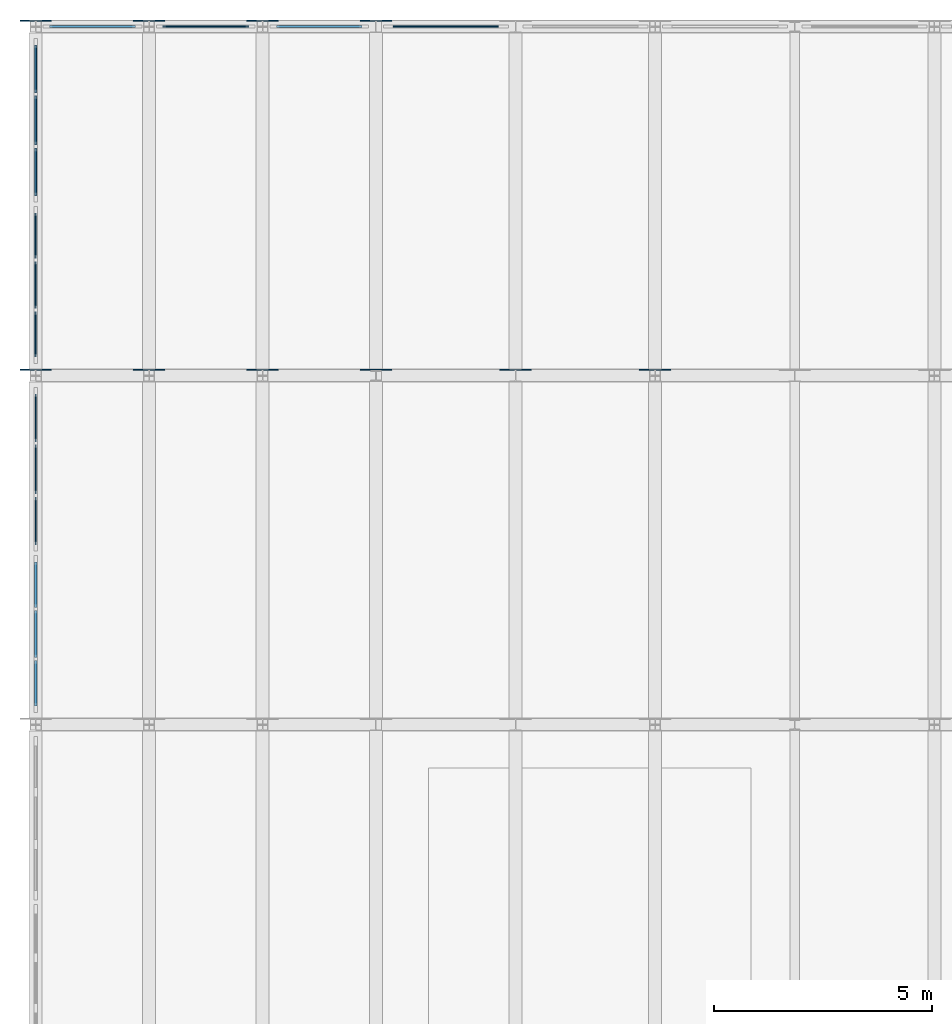
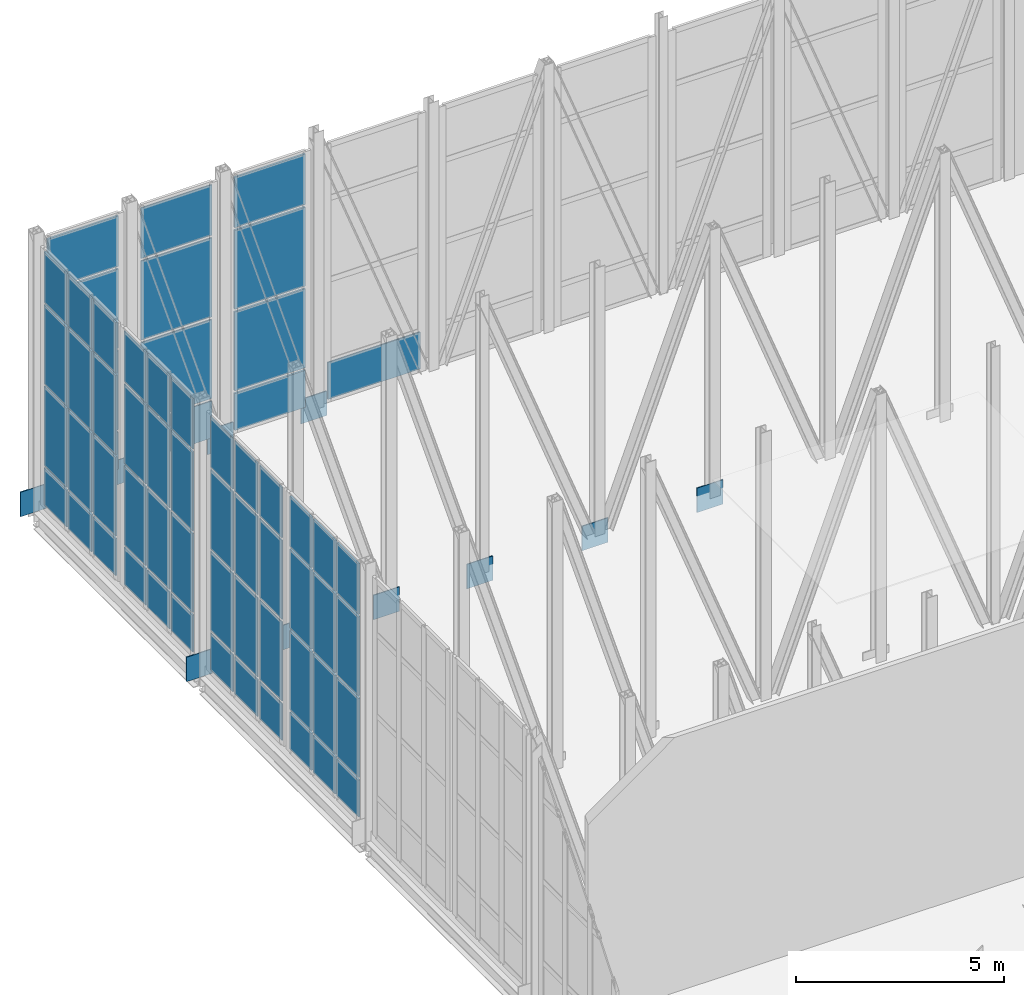
# One storey, part 55 of 73: 71 plates, 8 elements without a shape of their own.
"""IFC4 building model written with IfcOpenShell, lengths in metres."""

from ifc_helpers import new_model, si_unit, direction, frame, origin, origin_2d, place, context, subcontext, project, spatial, rectangle, extrude, material, layer, layer_set, type_object, element, aggregate, save


model = new_model("IFC4")

# Units and contexts
model_context = context("Model", 3, precision=1e-05, world=origin(), true_north=direction((0.0, 1.0)))
body_context = subcontext(model_context, "Body", "Model", "MODEL_VIEW")
ifc_project = project(units=[si_unit("LENGTHUNIT", "METRE"), si_unit("AREAUNIT", "SQUARE_METRE"), si_unit("VOLUMEUNIT", "CUBIC_METRE"), si_unit("PLANEANGLEUNIT", "RADIAN"), si_unit("MASSUNIT", "GRAM", prefix="KILO")], contexts=[model_context])

# Site, building, storey
site_placement = place(None, origin())
site = spatial("IfcSite", under=ifc_project, at=site_placement, CompositionType="ELEMENT")
building_placement = place(site_placement, origin())
building = spatial("IfcBuilding", under=site, at=building_placement, Name="Alderhovde Museum", CompositionType="ELEMENT")
storey_placement = place(building_placement, frame((0.0, 0.0, 17.39990234375)))
storey = spatial("IfcBuildingStorey", under=building, at=storey_placement, Name="L04", CompositionType="ELEMENT", Elevation=17.39990234375)

# Curtain wall, plates
ifc_material_1 = material(Name="Triple-Glazed Bronze-Anodised Curtain Wall", Category="glass")
ifc_layer_1 = layer(ifc_material_1, 0.219970703125)
ifc_layer_set_1 = layer_set([ifc_layer_1], Name="Triple-Glazed Bronze-Anodised Curtain Wall")
curtain_wall_type_1 = type_object("IfcCurtainWallType", Name="CW-UNIT-360x760", PredefinedType="USERDEFINED", material=ifc_layer_set_1)
curtain_wall_1_placement = place(storey_placement, origin())
curtain_wall_1 = element("IfcCurtainWall", 1, at=curtain_wall_1_placement, inside=storey, type_object=curtain_wall_type_1, Name="L04 Unitised Curtain Wall 116", ObjectType="UNITISED CURTAIN WALL", PredefinedType="USERDEFINED")
ifc_material_2 = material(Name="Triple-Glazed Low-E Laminated Glass", Category="glass")
ifc_layer_2 = layer(ifc_material_2, 0.028076171875)
ifc_layer_set_2 = layer_set([ifc_layer_2], Name="Triple-Glazed Low-E Laminated Glass")
plate_type_1 = type_object("IfcPlateType", Name="CWP-GLAZ-28", PredefinedType="CURTAIN_PANEL", material=ifc_layer_set_2)
plate_1_placement = place(storey_placement, frame((1.800048828125, 100.668701171875, 0.0751953125), z_axis=(0.0, 0.0, 1.0), x_axis=(0.0, 1.0, 0.0)))
plate_1 = element("IfcPlate", 2, at=plate_1_placement, type_object=plate_type_1, Name="CW28 panel 1.1", PredefinedType="CURTAIN_PANEL", context=body_context, shape_type="SweptSolid", body=[
    extrude(rectangle(XDim=1.08740234375, YDim=0.028076171875, at=origin_2d()), origin(), (0.0, 0.0, 1.0), 1.08740234375),
])
plate_2_placement = place(storey_placement, frame((1.800048828125, 100.668701171875, 1.23779296875), z_axis=(0.0, 0.0, 1.0), x_axis=(0.0, 1.0, 0.0)))
plate_2 = element("IfcPlate", 3, at=plate_2_placement, type_object=plate_type_1, Name="CW28 panel 1.2", PredefinedType="CURTAIN_PANEL", context=body_context, shape_type="SweptSolid", body=[
    extrude(rectangle(XDim=1.08740234375, YDim=0.028076171875, at=origin_2d()), origin(), (0.0, 0.0, 1.0), 2.324951171875),
])
plate_3_placement = place(storey_placement, frame((1.800048828125, 100.668701171875, 3.6376953125), z_axis=(0.0, 0.0, 1.0), x_axis=(0.0, 1.0, 0.0)))
plate_3 = element("IfcPlate", 4, at=plate_3_placement, type_object=plate_type_1, Name="CW28 panel 1.3", PredefinedType="CURTAIN_PANEL", context=body_context, shape_type="SweptSolid", body=[
    extrude(rectangle(XDim=1.08740234375, YDim=0.028076171875, at=origin_2d()), origin(), (0.0, 0.0, 1.0), 2.324951171875),
])
plate_4_placement = place(storey_placement, frame((1.800048828125, 100.668701171875, 6.03759765625), z_axis=(0.0, 0.0, 1.0), x_axis=(0.0, 1.0, 0.0)))
plate_4 = element("IfcPlate", 5, at=plate_4_placement, type_object=plate_type_1, Name="CW28 panel 1.4", PredefinedType="CURTAIN_PANEL", context=body_context, shape_type="SweptSolid", body=[
    extrude(rectangle(XDim=1.08740234375, YDim=0.028076171875, at=origin_2d()), origin(), (0.0, 0.0, 1.0), 1.487548828125),
])
plate_5_placement = place(storey_placement, frame((1.800048828125, 101.85009765625, 0.0751953125), z_axis=(0.0, 0.0, 1.0), x_axis=(0.0, 1.0, 0.0)))
plate_5 = element("IfcPlate", 6, at=plate_5_placement, type_object=plate_type_1, Name="CW28 panel 2.1", PredefinedType="CURTAIN_PANEL", context=body_context, shape_type="SweptSolid", body=[
    extrude(rectangle(XDim=1.125, YDim=0.028076171875, at=origin_2d()), origin(), (0.0, 0.0, 1.0), 1.08740234375),
])
plate_6_placement = place(storey_placement, frame((1.800048828125, 101.85009765625, 1.23779296875), z_axis=(0.0, 0.0, 1.0), x_axis=(0.0, 1.0, 0.0)))
plate_6 = element("IfcPlate", 7, at=plate_6_placement, type_object=plate_type_1, Name="CW28 panel 2.2", PredefinedType="CURTAIN_PANEL", context=body_context, shape_type="SweptSolid", body=[
    extrude(rectangle(XDim=1.125, YDim=0.028076171875, at=origin_2d()), origin(), (0.0, 0.0, 1.0), 2.324951171875),
])
plate_7_placement = place(storey_placement, frame((1.800048828125, 101.85009765625, 3.6376953125), z_axis=(0.0, 0.0, 1.0), x_axis=(0.0, 1.0, 0.0)))
plate_7 = element("IfcPlate", 8, at=plate_7_placement, type_object=plate_type_1, Name="CW28 panel 2.3", PredefinedType="CURTAIN_PANEL", context=body_context, shape_type="SweptSolid", body=[
    extrude(rectangle(XDim=1.125, YDim=0.028076171875, at=origin_2d()), origin(), (0.0, 0.0, 1.0), 2.324951171875),
])
plate_8_placement = place(storey_placement, frame((1.800048828125, 101.85009765625, 6.03759765625), z_axis=(0.0, 0.0, 1.0), x_axis=(0.0, 1.0, 0.0)))
plate_8 = element("IfcPlate", 9, at=plate_8_placement, type_object=plate_type_1, Name="CW28 panel 2.4", PredefinedType="CURTAIN_PANEL", context=body_context, shape_type="SweptSolid", body=[
    extrude(rectangle(XDim=1.125, YDim=0.028076171875, at=origin_2d()), origin(), (0.0, 0.0, 1.0), 1.487548828125),
])
plate_9_placement = place(storey_placement, frame((1.800048828125, 103.03125, 0.0751953125), z_axis=(0.0, 0.0, 1.0), x_axis=(0.0, 1.0, 0.0)))
plate_9 = element("IfcPlate", 10, at=plate_9_placement, type_object=plate_type_1, Name="CW28 panel 3.1", PredefinedType="CURTAIN_PANEL", context=body_context, shape_type="SweptSolid", body=[
    extrude(rectangle(XDim=1.08740234375, YDim=0.028076171875, at=origin_2d()), origin(), (0.0, 0.0, 1.0), 1.08740234375),
])
plate_10_placement = place(storey_placement, frame((1.800048828125, 103.03125, 1.23779296875), z_axis=(0.0, 0.0, 1.0), x_axis=(0.0, 1.0, 0.0)))
plate_10 = element("IfcPlate", 11, at=plate_10_placement, type_object=plate_type_1, Name="CW28 panel 3.2", PredefinedType="CURTAIN_PANEL", context=body_context, shape_type="SweptSolid", body=[
    extrude(rectangle(XDim=1.08740234375, YDim=0.028076171875, at=origin_2d()), origin(), (0.0, 0.0, 1.0), 2.324951171875),
])
plate_11_placement = place(storey_placement, frame((1.800048828125, 103.03125, 3.6376953125), z_axis=(0.0, 0.0, 1.0), x_axis=(0.0, 1.0, 0.0)))
plate_11 = element("IfcPlate", 12, at=plate_11_placement, type_object=plate_type_1, Name="CW28 panel 3.3", PredefinedType="CURTAIN_PANEL", context=body_context, shape_type="SweptSolid", body=[
    extrude(rectangle(XDim=1.08740234375, YDim=0.028076171875, at=origin_2d()), origin(), (0.0, 0.0, 1.0), 2.324951171875),
])
plate_12_placement = place(storey_placement, frame((1.800048828125, 103.03125, 6.03759765625), z_axis=(0.0, 0.0, 1.0), x_axis=(0.0, 1.0, 0.0)))
plate_12 = element("IfcPlate", 13, at=plate_12_placement, type_object=plate_type_1, Name="CW28 panel 3.4", PredefinedType="CURTAIN_PANEL", context=body_context, shape_type="SweptSolid", body=[
    extrude(rectangle(XDim=1.08740234375, YDim=0.028076171875, at=origin_2d()), origin(), (0.0, 0.0, 1.0), 1.487548828125),
])
aggregate(curtain_wall_1, [plate_1, plate_2, plate_3, plate_4, plate_5, plate_6, plate_7, plate_8, plate_9, plate_10, plate_11, plate_12])

ifc_material_3 = material(Name="Triple-Glazed Bronze-Anodised Curtain Wall", Category="glass")
ifc_layer_3 = layer(ifc_material_3, 0.219970703125)
ifc_layer_set_3 = layer_set([ifc_layer_3], Name="Triple-Glazed Bronze-Anodised Curtain Wall")
curtain_wall_type_2 = type_object("IfcCurtainWallType", Name="CW-UNIT-345x760", PredefinedType="USERDEFINED", material=ifc_layer_set_3)
curtain_wall_2_placement = place(storey_placement, origin())
curtain_wall_2 = element("IfcCurtainWall", 14, at=curtain_wall_2_placement, inside=storey, type_object=curtain_wall_type_2, Name="L04 Unitised Curtain Wall 117", ObjectType="UNITISED CURTAIN WALL", PredefinedType="USERDEFINED")
ifc_material_4 = material(Name="Triple-Glazed Low-E Laminated Glass", Category="glass")
ifc_layer_4 = layer(ifc_material_4, 0.035888671875)
ifc_layer_set_4 = layer_set([ifc_layer_4], Name="Triple-Glazed Low-E Laminated Glass")
plate_type_2 = type_object("IfcPlateType", Name="CWP-GLAZ-36", PredefinedType="CURTAIN_PANEL", material=ifc_layer_set_4)
plate_13_placement = place(storey_placement, frame((1.800048828125, 104.94384765625, 0.0751953125), z_axis=(0.0, 0.0, 1.0), x_axis=(0.0, 1.0, 0.0)))
plate_13 = element("IfcPlate", 15, at=plate_13_placement, type_object=plate_type_2, Name="CW27 panel 1.1", PredefinedType="CURTAIN_PANEL", context=body_context, shape_type="SweptSolid", body=[
    extrude(rectangle(XDim=1.03759765625, YDim=0.035888671875, at=origin_2d()), origin(), (0.0, 0.0, 1.0), 1.08740234375),
])
plate_14_placement = place(storey_placement, frame((1.800048828125, 104.94384765625, 1.23779296875), z_axis=(0.0, 0.0, 1.0), x_axis=(0.0, 1.0, 0.0)))
plate_14 = element("IfcPlate", 16, at=plate_14_placement, type_object=plate_type_2, Name="CW27 panel 1.2", PredefinedType="CURTAIN_PANEL", context=body_context, shape_type="SweptSolid", body=[
    extrude(rectangle(XDim=1.03759765625, YDim=0.035888671875, at=origin_2d()), origin(), (0.0, 0.0, 1.0), 2.324951171875),
])
plate_15_placement = place(storey_placement, frame((1.800048828125, 104.94384765625, 3.6376953125), z_axis=(0.0, 0.0, 1.0), x_axis=(0.0, 1.0, 0.0)))
plate_15 = element("IfcPlate", 17, at=plate_15_placement, type_object=plate_type_2, Name="CW27 panel 1.3", PredefinedType="CURTAIN_PANEL", context=body_context, shape_type="SweptSolid", body=[
    extrude(rectangle(XDim=1.03759765625, YDim=0.035888671875, at=origin_2d()), origin(), (0.0, 0.0, 1.0), 2.324951171875),
])
plate_16_placement = place(storey_placement, frame((1.800048828125, 104.94384765625, 6.03759765625), z_axis=(0.0, 0.0, 1.0), x_axis=(0.0, 1.0, 0.0)))
plate_16 = element("IfcPlate", 18, at=plate_16_placement, type_object=plate_type_2, Name="CW27 panel 1.4", PredefinedType="CURTAIN_PANEL", context=body_context, shape_type="SweptSolid", body=[
    extrude(rectangle(XDim=1.03759765625, YDim=0.035888671875, at=origin_2d()), origin(), (0.0, 0.0, 1.0), 1.487548828125),
])
plate_17_placement = place(storey_placement, frame((1.800048828125, 106.074951171875, 0.0751953125), z_axis=(0.0, 0.0, 1.0), x_axis=(0.0, 1.0, 0.0)))
plate_17 = element("IfcPlate", 19, at=plate_17_placement, type_object=plate_type_2, Name="CW27 panel 2.1", PredefinedType="CURTAIN_PANEL", context=body_context, shape_type="SweptSolid", body=[
    extrude(rectangle(XDim=1.074951171875, YDim=0.035888671875, at=origin_2d()), origin(), (0.0, 0.0, 1.0), 1.08740234375),
])
plate_18_placement = place(storey_placement, frame((1.800048828125, 106.074951171875, 1.23779296875), z_axis=(0.0, 0.0, 1.0), x_axis=(0.0, 1.0, 0.0)))
plate_18 = element("IfcPlate", 20, at=plate_18_placement, type_object=plate_type_2, Name="CW27 panel 2.2", PredefinedType="CURTAIN_PANEL", context=body_context, shape_type="SweptSolid", body=[
    extrude(rectangle(XDim=1.074951171875, YDim=0.035888671875, at=origin_2d()), origin(), (0.0, 0.0, 1.0), 2.324951171875),
])
plate_19_placement = place(storey_placement, frame((1.800048828125, 106.074951171875, 3.6376953125), z_axis=(0.0, 0.0, 1.0), x_axis=(0.0, 1.0, 0.0)))
plate_19 = element("IfcPlate", 21, at=plate_19_placement, type_object=plate_type_2, Name="CW27 panel 2.3", PredefinedType="CURTAIN_PANEL", context=body_context, shape_type="SweptSolid", body=[
    extrude(rectangle(XDim=1.074951171875, YDim=0.035888671875, at=origin_2d()), origin(), (0.0, 0.0, 1.0), 2.324951171875),
])
plate_20_placement = place(storey_placement, frame((1.800048828125, 106.074951171875, 6.03759765625), z_axis=(0.0, 0.0, 1.0), x_axis=(0.0, 1.0, 0.0)))
plate_20 = element("IfcPlate", 22, at=plate_20_placement, type_object=plate_type_2, Name="CW27 panel 2.4", PredefinedType="CURTAIN_PANEL", context=body_context, shape_type="SweptSolid", body=[
    extrude(rectangle(XDim=1.074951171875, YDim=0.035888671875, at=origin_2d()), origin(), (0.0, 0.0, 1.0), 1.487548828125),
])
plate_21_placement = place(storey_placement, frame((1.800048828125, 107.206298828125, 0.0751953125), z_axis=(0.0, 0.0, 1.0), x_axis=(0.0, 1.0, 0.0)))
plate_21 = element("IfcPlate", 23, at=plate_21_placement, type_object=plate_type_2, Name="CW27 panel 3.1", PredefinedType="CURTAIN_PANEL", context=body_context, shape_type="SweptSolid", body=[
    extrude(rectangle(XDim=1.03759765625, YDim=0.035888671875, at=origin_2d()), origin(), (0.0, 0.0, 1.0), 1.08740234375),
])
plate_22_placement = place(storey_placement, frame((1.800048828125, 107.206298828125, 1.23779296875), z_axis=(0.0, 0.0, 1.0), x_axis=(0.0, 1.0, 0.0)))
plate_22 = element("IfcPlate", 24, at=plate_22_placement, type_object=plate_type_2, Name="CW27 panel 3.2", PredefinedType="CURTAIN_PANEL", context=body_context, shape_type="SweptSolid", body=[
    extrude(rectangle(XDim=1.03759765625, YDim=0.035888671875, at=origin_2d()), origin(), (0.0, 0.0, 1.0), 2.324951171875),
])
plate_23_placement = place(storey_placement, frame((1.800048828125, 107.206298828125, 3.6376953125), z_axis=(0.0, 0.0, 1.0), x_axis=(0.0, 1.0, 0.0)))
plate_23 = element("IfcPlate", 25, at=plate_23_placement, type_object=plate_type_2, Name="CW27 panel 3.3", PredefinedType="CURTAIN_PANEL", context=body_context, shape_type="SweptSolid", body=[
    extrude(rectangle(XDim=1.03759765625, YDim=0.035888671875, at=origin_2d()), origin(), (0.0, 0.0, 1.0), 2.324951171875),
])
plate_24_placement = place(storey_placement, frame((1.800048828125, 107.206298828125, 6.03759765625), z_axis=(0.0, 0.0, 1.0), x_axis=(0.0, 1.0, 0.0)))
plate_24 = element("IfcPlate", 26, at=plate_24_placement, type_object=plate_type_2, Name="CW27 panel 3.4", PredefinedType="CURTAIN_PANEL", context=body_context, shape_type="SweptSolid", body=[
    extrude(rectangle(XDim=1.03759765625, YDim=0.035888671875, at=origin_2d()), origin(), (0.0, 0.0, 1.0), 1.487548828125),
])
aggregate(curtain_wall_2, [plate_13, plate_14, plate_15, plate_16, plate_17, plate_18, plate_19, plate_20, plate_21, plate_22, plate_23, plate_24])

ifc_material_5 = material(Name="Triple-Glazed Bronze-Anodised Curtain Wall", Category="glass")
ifc_layer_5 = layer(ifc_material_5, 0.219970703125)
ifc_layer_set_5 = layer_set([ifc_layer_5], Name="Triple-Glazed Bronze-Anodised Curtain Wall")
curtain_wall_type_3 = type_object("IfcCurtainWallType", Name="CW-UNIT-212x760", PredefinedType="USERDEFINED", material=ifc_layer_set_5)
curtain_wall_3_placement = place(storey_placement, origin())
curtain_wall_3 = element("IfcCurtainWall", 27, at=curtain_wall_3_placement, inside=storey, type_object=curtain_wall_type_3, Name="L04 Unitised Curtain Wall 121", ObjectType="UNITISED CURTAIN WALL", PredefinedType="USERDEFINED")
plate_25_placement = place(storey_placement, frame((5.699951171875, 112.0, 0.0751953125), z_axis=(0.0, 0.0, 1.0), x_axis=(1.0, 0.0, 0.0)))
plate_25 = element("IfcPlate", 28, at=plate_25_placement, type_object=plate_type_2, Name="CW29 panel 1.1", PredefinedType="CURTAIN_PANEL", context=body_context, shape_type="SweptSolid", body=[
    extrude(rectangle(XDim=1.969970703125, YDim=0.035888671875, at=origin_2d()), origin(), (0.0, 0.0, 1.0), 1.08740234375),
])
plate_26_placement = place(storey_placement, frame((5.699951171875, 112.0, 1.23779296875), z_axis=(0.0, 0.0, 1.0), x_axis=(1.0, 0.0, 0.0)))
plate_26 = element("IfcPlate", 29, at=plate_26_placement, type_object=plate_type_2, Name="CW29 panel 1.2", PredefinedType="CURTAIN_PANEL", context=body_context, shape_type="SweptSolid", body=[
    extrude(rectangle(XDim=1.969970703125, YDim=0.035888671875, at=origin_2d()), origin(), (0.0, 0.0, 1.0), 2.324951171875),
])
plate_27_placement = place(storey_placement, frame((5.699951171875, 112.0, 3.6376953125), z_axis=(0.0, 0.0, 1.0), x_axis=(1.0, 0.0, 0.0)))
plate_27 = element("IfcPlate", 30, at=plate_27_placement, type_object=plate_type_2, Name="CW29 panel 1.3", PredefinedType="CURTAIN_PANEL", context=body_context, shape_type="SweptSolid", body=[
    extrude(rectangle(XDim=1.969970703125, YDim=0.035888671875, at=origin_2d()), origin(), (0.0, 0.0, 1.0), 2.324951171875),
])
plate_28_placement = place(storey_placement, frame((5.699951171875, 112.0, 6.03759765625), z_axis=(0.0, 0.0, 1.0), x_axis=(1.0, 0.0, 0.0)))
plate_28 = element("IfcPlate", 31, at=plate_28_placement, type_object=plate_type_2, Name="CW29 panel 1.4", PredefinedType="CURTAIN_PANEL", context=body_context, shape_type="SweptSolid", body=[
    extrude(rectangle(XDim=1.969970703125, YDim=0.035888671875, at=origin_2d()), origin(), (0.0, 0.0, 1.0), 1.487548828125),
])
aggregate(curtain_wall_3, [plate_25, plate_26, plate_27, plate_28])

# Curtain wall, plate
ifc_material_6 = material(Name="Triple-Glazed Bronze-Anodised Curtain Wall", Category="glass")
ifc_layer_6 = layer(ifc_material_6, 0.219970703125)
ifc_layer_set_6 = layer_set([ifc_layer_6], Name="Triple-Glazed Bronze-Anodised Curtain Wall")
curtain_wall_type_4 = type_object("IfcCurtainWallType", Name="CW-UNIT-272x760", PredefinedType="USERDEFINED", material=ifc_layer_set_6)
curtain_wall_4_placement = place(storey_placement, origin())
curtain_wall_4 = element("IfcCurtainWall", 32, at=curtain_wall_4_placement, inside=storey, type_object=curtain_wall_type_4, Name="L04 Unitised Curtain Wall 125", ObjectType="UNITISED CURTAIN WALL", PredefinedType="USERDEFINED")
plate_29_placement = place(storey_placement, frame((11.199951171875, 112.0, 0.0751953125), z_axis=(0.0, 0.0, 1.0), x_axis=(1.0, 0.0, 0.0)))
plate_29 = element("IfcPlate", 33, at=plate_29_placement, type_object=plate_type_2, Name="CW30 panel 1.1", PredefinedType="CURTAIN_PANEL", context=body_context, shape_type="SweptSolid", body=[
    extrude(rectangle(XDim=2.570068359375, YDim=0.035888671875, at=origin_2d()), origin(), (0.0, 0.0, 1.0), 1.08740234375),
])
aggregate(curtain_wall_4, [plate_29])

# Curtain wall, plates
curtain_wall_5_placement = place(storey_placement, origin())
curtain_wall_5 = element("IfcCurtainWall", 34, at=curtain_wall_5_placement, inside=storey, type_object=curtain_wall_type_1, Name="L04 Unitised Curtain Wall 118", ObjectType="UNITISED CURTAIN WALL", PredefinedType="USERDEFINED")
ifc_material_7 = material(Name="Triple-Glazed Low-E Laminated Glass", Category="glass")
ifc_layer_7 = layer(ifc_material_7, 0.0439453125)
ifc_layer_set_7 = layer_set([ifc_layer_7], Name="Triple-Glazed Low-E Laminated Glass")
plate_type_3 = type_object("IfcPlateType", Name="CWP-GLAZ-44", PredefinedType="CURTAIN_PANEL", material=ifc_layer_set_7)
plate_30_placement = place(storey_placement, frame((1.800048828125, 108.668701171875, 0.0751953125), z_axis=(0.0, 0.0, 1.0), x_axis=(0.0, 1.0, 0.0)))
plate_30 = element("IfcPlate", 35, at=plate_30_placement, type_object=plate_type_3, Name="CW28 panel 1.1", PredefinedType="CURTAIN_PANEL", context=body_context, shape_type="SweptSolid", body=[
    extrude(rectangle(XDim=1.08740234375, YDim=0.0439453125, at=origin_2d()), origin(), (0.0, 0.0, 1.0), 1.08740234375),
])
plate_31_placement = place(storey_placement, frame((1.800048828125, 108.668701171875, 1.23779296875), z_axis=(0.0, 0.0, 1.0), x_axis=(0.0, 1.0, 0.0)))
plate_31 = element("IfcPlate", 36, at=plate_31_placement, type_object=plate_type_3, Name="CW28 panel 1.2", PredefinedType="CURTAIN_PANEL", context=body_context, shape_type="SweptSolid", body=[
    extrude(rectangle(XDim=1.08740234375, YDim=0.0439453125, at=origin_2d()), origin(), (0.0, 0.0, 1.0), 2.324951171875),
])
plate_32_placement = place(storey_placement, frame((1.800048828125, 108.668701171875, 3.6376953125), z_axis=(0.0, 0.0, 1.0), x_axis=(0.0, 1.0, 0.0)))
plate_32 = element("IfcPlate", 37, at=plate_32_placement, type_object=plate_type_3, Name="CW28 panel 1.3", PredefinedType="CURTAIN_PANEL", context=body_context, shape_type="SweptSolid", body=[
    extrude(rectangle(XDim=1.08740234375, YDim=0.0439453125, at=origin_2d()), origin(), (0.0, 0.0, 1.0), 2.324951171875),
])
plate_33_placement = place(storey_placement, frame((1.800048828125, 108.668701171875, 6.03759765625), z_axis=(0.0, 0.0, 1.0), x_axis=(0.0, 1.0, 0.0)))
plate_33 = element("IfcPlate", 38, at=plate_33_placement, type_object=plate_type_3, Name="CW28 panel 1.4", PredefinedType="CURTAIN_PANEL", context=body_context, shape_type="SweptSolid", body=[
    extrude(rectangle(XDim=1.08740234375, YDim=0.0439453125, at=origin_2d()), origin(), (0.0, 0.0, 1.0), 1.487548828125),
])
plate_34_placement = place(storey_placement, frame((1.800048828125, 109.85009765625, 0.0751953125), z_axis=(0.0, 0.0, 1.0), x_axis=(0.0, 1.0, 0.0)))
plate_34 = element("IfcPlate", 39, at=plate_34_placement, type_object=plate_type_3, Name="CW28 panel 2.1", PredefinedType="CURTAIN_PANEL", context=body_context, shape_type="SweptSolid", body=[
    extrude(rectangle(XDim=1.125, YDim=0.0439453125, at=origin_2d()), origin(), (0.0, 0.0, 1.0), 1.08740234375),
])
plate_35_placement = place(storey_placement, frame((1.800048828125, 109.85009765625, 1.23779296875), z_axis=(0.0, 0.0, 1.0), x_axis=(0.0, 1.0, 0.0)))
plate_35 = element("IfcPlate", 40, at=plate_35_placement, type_object=plate_type_3, Name="CW28 panel 2.2", PredefinedType="CURTAIN_PANEL", context=body_context, shape_type="SweptSolid", body=[
    extrude(rectangle(XDim=1.125, YDim=0.0439453125, at=origin_2d()), origin(), (0.0, 0.0, 1.0), 2.324951171875),
])
plate_36_placement = place(storey_placement, frame((1.800048828125, 109.85009765625, 3.6376953125), z_axis=(0.0, 0.0, 1.0), x_axis=(0.0, 1.0, 0.0)))
plate_36 = element("IfcPlate", 41, at=plate_36_placement, type_object=plate_type_3, Name="CW28 panel 2.3", PredefinedType="CURTAIN_PANEL", context=body_context, shape_type="SweptSolid", body=[
    extrude(rectangle(XDim=1.125, YDim=0.0439453125, at=origin_2d()), origin(), (0.0, 0.0, 1.0), 2.324951171875),
])
plate_37_placement = place(storey_placement, frame((1.800048828125, 109.85009765625, 6.03759765625), z_axis=(0.0, 0.0, 1.0), x_axis=(0.0, 1.0, 0.0)))
plate_37 = element("IfcPlate", 42, at=plate_37_placement, type_object=plate_type_3, Name="CW28 panel 2.4", PredefinedType="CURTAIN_PANEL", context=body_context, shape_type="SweptSolid", body=[
    extrude(rectangle(XDim=1.125, YDim=0.0439453125, at=origin_2d()), origin(), (0.0, 0.0, 1.0), 1.487548828125),
])
plate_38_placement = place(storey_placement, frame((1.800048828125, 111.03125, 0.0751953125), z_axis=(0.0, 0.0, 1.0), x_axis=(0.0, 1.0, 0.0)))
plate_38 = element("IfcPlate", 43, at=plate_38_placement, type_object=plate_type_3, Name="CW28 panel 3.1", PredefinedType="CURTAIN_PANEL", context=body_context, shape_type="SweptSolid", body=[
    extrude(rectangle(XDim=1.08740234375, YDim=0.0439453125, at=origin_2d()), origin(), (0.0, 0.0, 1.0), 1.08740234375),
])
plate_39_placement = place(storey_placement, frame((1.800048828125, 111.03125, 1.23779296875), z_axis=(0.0, 0.0, 1.0), x_axis=(0.0, 1.0, 0.0)))
plate_39 = element("IfcPlate", 44, at=plate_39_placement, type_object=plate_type_3, Name="CW28 panel 3.2", PredefinedType="CURTAIN_PANEL", context=body_context, shape_type="SweptSolid", body=[
    extrude(rectangle(XDim=1.08740234375, YDim=0.0439453125, at=origin_2d()), origin(), (0.0, 0.0, 1.0), 2.324951171875),
])
plate_40_placement = place(storey_placement, frame((1.800048828125, 111.03125, 3.6376953125), z_axis=(0.0, 0.0, 1.0), x_axis=(0.0, 1.0, 0.0)))
plate_40 = element("IfcPlate", 45, at=plate_40_placement, type_object=plate_type_3, Name="CW28 panel 3.3", PredefinedType="CURTAIN_PANEL", context=body_context, shape_type="SweptSolid", body=[
    extrude(rectangle(XDim=1.08740234375, YDim=0.0439453125, at=origin_2d()), origin(), (0.0, 0.0, 1.0), 2.324951171875),
])
plate_41_placement = place(storey_placement, frame((1.800048828125, 111.03125, 6.03759765625), z_axis=(0.0, 0.0, 1.0), x_axis=(0.0, 1.0, 0.0)))
plate_41 = element("IfcPlate", 46, at=plate_41_placement, type_object=plate_type_3, Name="CW28 panel 3.4", PredefinedType="CURTAIN_PANEL", context=body_context, shape_type="SweptSolid", body=[
    extrude(rectangle(XDim=1.08740234375, YDim=0.0439453125, at=origin_2d()), origin(), (0.0, 0.0, 1.0), 1.487548828125),
])
aggregate(curtain_wall_5, [plate_30, plate_31, plate_32, plate_33, plate_34, plate_35, plate_36, plate_37, plate_38, plate_39, plate_40, plate_41])

curtain_wall_6_placement = place(storey_placement, origin())
curtain_wall_6 = element("IfcCurtainWall", 47, at=curtain_wall_6_placement, inside=storey, type_object=curtain_wall_type_2, Name="L04 Unitised Curtain Wall 115", ObjectType="UNITISED CURTAIN WALL", PredefinedType="USERDEFINED")
ifc_material_8 = material(Name="Triple-Glazed Low-E Laminated Glass", Category="glass")
ifc_layer_8 = layer(ifc_material_8, 0.052001953125)
ifc_layer_set_8 = layer_set([ifc_layer_8], Name="Triple-Glazed Low-E Laminated Glass")
plate_type_4 = type_object("IfcPlateType", Name="CWP-GLAZ-52", PredefinedType="CURTAIN_PANEL", material=ifc_layer_set_8)
plate_42_placement = place(storey_placement, frame((1.800048828125, 96.94384765625, 0.0751953125), z_axis=(0.0, 0.0, 1.0), x_axis=(0.0, 1.0, 0.0)))
plate_42 = element("IfcPlate", 48, at=plate_42_placement, type_object=plate_type_4, Name="CW27 panel 1.1", PredefinedType="CURTAIN_PANEL", context=body_context, shape_type="SweptSolid", body=[
    extrude(rectangle(XDim=1.03759765625, YDim=0.052001953125, at=origin_2d()), origin(), (0.0, 0.0, 1.0), 1.08740234375),
])
plate_43_placement = place(storey_placement, frame((1.800048828125, 96.94384765625, 1.23779296875), z_axis=(0.0, 0.0, 1.0), x_axis=(0.0, 1.0, 0.0)))
plate_43 = element("IfcPlate", 49, at=plate_43_placement, type_object=plate_type_4, Name="CW27 panel 1.2", PredefinedType="CURTAIN_PANEL", context=body_context, shape_type="SweptSolid", body=[
    extrude(rectangle(XDim=1.03759765625, YDim=0.052001953125, at=origin_2d()), origin(), (0.0, 0.0, 1.0), 2.324951171875),
])
plate_44_placement = place(storey_placement, frame((1.800048828125, 96.94384765625, 3.6376953125), z_axis=(0.0, 0.0, 1.0), x_axis=(0.0, 1.0, 0.0)))
plate_44 = element("IfcPlate", 50, at=plate_44_placement, type_object=plate_type_4, Name="CW27 panel 1.3", PredefinedType="CURTAIN_PANEL", context=body_context, shape_type="SweptSolid", body=[
    extrude(rectangle(XDim=1.03759765625, YDim=0.052001953125, at=origin_2d()), origin(), (0.0, 0.0, 1.0), 2.324951171875),
])
plate_45_placement = place(storey_placement, frame((1.800048828125, 96.94384765625, 6.03759765625), z_axis=(0.0, 0.0, 1.0), x_axis=(0.0, 1.0, 0.0)))
plate_45 = element("IfcPlate", 51, at=plate_45_placement, type_object=plate_type_4, Name="CW27 panel 1.4", PredefinedType="CURTAIN_PANEL", context=body_context, shape_type="SweptSolid", body=[
    extrude(rectangle(XDim=1.03759765625, YDim=0.052001953125, at=origin_2d()), origin(), (0.0, 0.0, 1.0), 1.487548828125),
])
plate_46_placement = place(storey_placement, frame((1.800048828125, 98.074951171875, 0.0751953125), z_axis=(0.0, 0.0, 1.0), x_axis=(0.0, 1.0, 0.0)))
plate_46 = element("IfcPlate", 52, at=plate_46_placement, type_object=plate_type_4, Name="CW27 panel 2.1", PredefinedType="CURTAIN_PANEL", context=body_context, shape_type="SweptSolid", body=[
    extrude(rectangle(XDim=1.074951171875, YDim=0.052001953125, at=origin_2d()), origin(), (0.0, 0.0, 1.0), 1.08740234375),
])
plate_47_placement = place(storey_placement, frame((1.800048828125, 98.074951171875, 1.23779296875), z_axis=(0.0, 0.0, 1.0), x_axis=(0.0, 1.0, 0.0)))
plate_47 = element("IfcPlate", 53, at=plate_47_placement, type_object=plate_type_4, Name="CW27 panel 2.2", PredefinedType="CURTAIN_PANEL", context=body_context, shape_type="SweptSolid", body=[
    extrude(rectangle(XDim=1.074951171875, YDim=0.052001953125, at=origin_2d()), origin(), (0.0, 0.0, 1.0), 2.324951171875),
])
plate_48_placement = place(storey_placement, frame((1.800048828125, 98.074951171875, 3.6376953125), z_axis=(0.0, 0.0, 1.0), x_axis=(0.0, 1.0, 0.0)))
plate_48 = element("IfcPlate", 54, at=plate_48_placement, type_object=plate_type_4, Name="CW27 panel 2.3", PredefinedType="CURTAIN_PANEL", context=body_context, shape_type="SweptSolid", body=[
    extrude(rectangle(XDim=1.074951171875, YDim=0.052001953125, at=origin_2d()), origin(), (0.0, 0.0, 1.0), 2.324951171875),
])
plate_49_placement = place(storey_placement, frame((1.800048828125, 98.074951171875, 6.03759765625), z_axis=(0.0, 0.0, 1.0), x_axis=(0.0, 1.0, 0.0)))
plate_49 = element("IfcPlate", 55, at=plate_49_placement, type_object=plate_type_4, Name="CW27 panel 2.4", PredefinedType="CURTAIN_PANEL", context=body_context, shape_type="SweptSolid", body=[
    extrude(rectangle(XDim=1.074951171875, YDim=0.052001953125, at=origin_2d()), origin(), (0.0, 0.0, 1.0), 1.487548828125),
])
plate_50_placement = place(storey_placement, frame((1.800048828125, 99.206298828125, 0.0751953125), z_axis=(0.0, 0.0, 1.0), x_axis=(0.0, 1.0, 0.0)))
plate_50 = element("IfcPlate", 56, at=plate_50_placement, type_object=plate_type_4, Name="CW27 panel 3.1", PredefinedType="CURTAIN_PANEL", context=body_context, shape_type="SweptSolid", body=[
    extrude(rectangle(XDim=1.03759765625, YDim=0.052001953125, at=origin_2d()), origin(), (0.0, 0.0, 1.0), 1.08740234375),
])
plate_51_placement = place(storey_placement, frame((1.800048828125, 99.206298828125, 1.23779296875), z_axis=(0.0, 0.0, 1.0), x_axis=(0.0, 1.0, 0.0)))
plate_51 = element("IfcPlate", 57, at=plate_51_placement, type_object=plate_type_4, Name="CW27 panel 3.2", PredefinedType="CURTAIN_PANEL", context=body_context, shape_type="SweptSolid", body=[
    extrude(rectangle(XDim=1.03759765625, YDim=0.052001953125, at=origin_2d()), origin(), (0.0, 0.0, 1.0), 2.324951171875),
])
plate_52_placement = place(storey_placement, frame((1.800048828125, 99.206298828125, 3.6376953125), z_axis=(0.0, 0.0, 1.0), x_axis=(0.0, 1.0, 0.0)))
plate_52 = element("IfcPlate", 58, at=plate_52_placement, type_object=plate_type_4, Name="CW27 panel 3.3", PredefinedType="CURTAIN_PANEL", context=body_context, shape_type="SweptSolid", body=[
    extrude(rectangle(XDim=1.03759765625, YDim=0.052001953125, at=origin_2d()), origin(), (0.0, 0.0, 1.0), 2.324951171875),
])
plate_53_placement = place(storey_placement, frame((1.800048828125, 99.206298828125, 6.03759765625), z_axis=(0.0, 0.0, 1.0), x_axis=(0.0, 1.0, 0.0)))
plate_53 = element("IfcPlate", 59, at=plate_53_placement, type_object=plate_type_4, Name="CW27 panel 3.4", PredefinedType="CURTAIN_PANEL", context=body_context, shape_type="SweptSolid", body=[
    extrude(rectangle(XDim=1.03759765625, YDim=0.052001953125, at=origin_2d()), origin(), (0.0, 0.0, 1.0), 1.487548828125),
])
aggregate(curtain_wall_6, [plate_42, plate_43, plate_44, plate_45, plate_46, plate_47, plate_48, plate_49, plate_50, plate_51, plate_52, plate_53])

curtain_wall_7_placement = place(storey_placement, origin())
curtain_wall_7 = element("IfcCurtainWall", 60, at=curtain_wall_7_placement, inside=storey, type_object=curtain_wall_type_3, Name="L04 Unitised Curtain Wall 119", ObjectType="UNITISED CURTAIN WALL", PredefinedType="USERDEFINED")
plate_54_placement = place(storey_placement, frame((3.10009765625, 112.0, 0.0751953125), z_axis=(0.0, 0.0, 1.0), x_axis=(1.0, 0.0, 0.0)))
plate_54 = element("IfcPlate", 61, at=plate_54_placement, type_object=plate_type_4, Name="CW29 panel 1.1", PredefinedType="CURTAIN_PANEL", context=body_context, shape_type="SweptSolid", body=[
    extrude(rectangle(XDim=1.969970703125, YDim=0.052001953125, at=origin_2d()), origin(), (0.0, 0.0, 1.0), 1.08740234375),
])
plate_55_placement = place(storey_placement, frame((3.10009765625, 112.0, 1.23779296875), z_axis=(0.0, 0.0, 1.0), x_axis=(1.0, 0.0, 0.0)))
plate_55 = element("IfcPlate", 62, at=plate_55_placement, type_object=plate_type_4, Name="CW29 panel 1.2", PredefinedType="CURTAIN_PANEL", context=body_context, shape_type="SweptSolid", body=[
    extrude(rectangle(XDim=1.969970703125, YDim=0.052001953125, at=origin_2d()), origin(), (0.0, 0.0, 1.0), 2.324951171875),
])
plate_56_placement = place(storey_placement, frame((3.10009765625, 112.0, 3.6376953125), z_axis=(0.0, 0.0, 1.0), x_axis=(1.0, 0.0, 0.0)))
plate_56 = element("IfcPlate", 63, at=plate_56_placement, type_object=plate_type_4, Name="CW29 panel 1.3", PredefinedType="CURTAIN_PANEL", context=body_context, shape_type="SweptSolid", body=[
    extrude(rectangle(XDim=1.969970703125, YDim=0.052001953125, at=origin_2d()), origin(), (0.0, 0.0, 1.0), 2.324951171875),
])
plate_57_placement = place(storey_placement, frame((3.10009765625, 112.0, 6.03759765625), z_axis=(0.0, 0.0, 1.0), x_axis=(1.0, 0.0, 0.0)))
plate_57 = element("IfcPlate", 64, at=plate_57_placement, type_object=plate_type_4, Name="CW29 panel 1.4", PredefinedType="CURTAIN_PANEL", context=body_context, shape_type="SweptSolid", body=[
    extrude(rectangle(XDim=1.969970703125, YDim=0.052001953125, at=origin_2d()), origin(), (0.0, 0.0, 1.0), 1.487548828125),
])
aggregate(curtain_wall_7, [plate_54, plate_55, plate_56, plate_57])

curtain_wall_8_placement = place(storey_placement, origin())
curtain_wall_8 = element("IfcCurtainWall", 65, at=curtain_wall_8_placement, inside=storey, type_object=curtain_wall_type_3, Name="L04 Unitised Curtain Wall 123", ObjectType="UNITISED CURTAIN WALL", PredefinedType="USERDEFINED")
plate_58_placement = place(storey_placement, frame((8.300048828125, 112.0, 0.0751953125), z_axis=(0.0, 0.0, 1.0), x_axis=(1.0, 0.0, 0.0)))
plate_58 = element("IfcPlate", 66, at=plate_58_placement, type_object=plate_type_4, Name="CW29 panel 1.1", PredefinedType="CURTAIN_PANEL", context=body_context, shape_type="SweptSolid", body=[
    extrude(rectangle(XDim=1.969970703125, YDim=0.052001953125, at=origin_2d()), origin(), (0.0, 0.0, 1.0), 1.08740234375),
])
plate_59_placement = place(storey_placement, frame((8.300048828125, 112.0, 1.23779296875), z_axis=(0.0, 0.0, 1.0), x_axis=(1.0, 0.0, 0.0)))
plate_59 = element("IfcPlate", 67, at=plate_59_placement, type_object=plate_type_4, Name="CW29 panel 1.2", PredefinedType="CURTAIN_PANEL", context=body_context, shape_type="SweptSolid", body=[
    extrude(rectangle(XDim=1.969970703125, YDim=0.052001953125, at=origin_2d()), origin(), (0.0, 0.0, 1.0), 2.324951171875),
])
plate_60_placement = place(storey_placement, frame((8.300048828125, 112.0, 3.6376953125), z_axis=(0.0, 0.0, 1.0), x_axis=(1.0, 0.0, 0.0)))
plate_60 = element("IfcPlate", 68, at=plate_60_placement, type_object=plate_type_4, Name="CW29 panel 1.3", PredefinedType="CURTAIN_PANEL", context=body_context, shape_type="SweptSolid", body=[
    extrude(rectangle(XDim=1.969970703125, YDim=0.052001953125, at=origin_2d()), origin(), (0.0, 0.0, 1.0), 2.324951171875),
])
plate_61_placement = place(storey_placement, frame((8.300048828125, 112.0, 6.03759765625), z_axis=(0.0, 0.0, 1.0), x_axis=(1.0, 0.0, 0.0)))
plate_61 = element("IfcPlate", 69, at=plate_61_placement, type_object=plate_type_4, Name="CW29 panel 1.4", PredefinedType="CURTAIN_PANEL", context=body_context, shape_type="SweptSolid", body=[
    extrude(rectangle(XDim=1.969970703125, YDim=0.052001953125, at=origin_2d()), origin(), (0.0, 0.0, 1.0), 1.487548828125),
])
aggregate(curtain_wall_8, [plate_58, plate_59, plate_60, plate_61])

# Plates
ifc_material_9 = material(Name="Steel S355J2", Category="steel")
ifc_layer_9 = layer(ifc_material_9, 0.028076171875)
ifc_layer_set_9 = layer_set([ifc_layer_9], Name="Steel S355J2")
plate_type_5 = type_object("IfcPlateType", Name="PLT-GUSSET-28", PredefinedType="USERDEFINED", material=ifc_layer_set_9)
for number, where, z_axis, x_axis, name in (
    (70, (1.800048828125, 104.1298828125, -0.48974609375), (0.0, 0.0, 1.0), (1.0, 0.0, 0.0), "Transfer Truss Gusset Plate Y=104 T2-1"),
    (71, (4.39990234375, 104.1298828125, -0.48974609375), (0.0, 0.0, 1.0), (1.0, 0.0, 0.0), "Transfer Truss Gusset Plate Y=104 T2-2"),
    (72, (7.0, 104.1298828125, -0.48974609375), (0.0, 0.0, 1.0), (1.0, 0.0, 0.0), "Transfer Truss Gusset Plate Y=104 T2-3"),
    (73, (9.60009765625, 104.1298828125, -0.48974609375), (0.0, 0.0, 1.0), (1.0, 0.0, 0.0), "Transfer Truss Gusset Plate Y=104 T2-4"),
    (74, (12.800048828125, 104.1298828125, -0.48974609375), (0.0, 0.0, 1.0), (1.0, 0.0, 0.0), "Transfer Truss Gusset Plate Y=104 T2-5"),
    (75, (16.0, 104.1298828125, -0.48974609375), (0.0, 0.0, 1.0), (1.0, 0.0, 0.0), "Transfer Truss Gusset Plate Y=104 T2-6"),
    (76, (1.800048828125, 112.1298828125, -0.48974609375), (0.0, 0.0, 1.0), (1.0, 0.0, 0.0), "Transfer Truss Gusset Plate Y=112 T2-1"),
    (77, (4.39990234375, 112.1298828125, -0.48974609375), (0.0, 0.0, 1.0), (1.0, 0.0, 0.0), "Transfer Truss Gusset Plate Y=112 T2-2"),
    (78, (7.0, 112.1298828125, -0.48974609375), (0.0, 0.0, 1.0), (1.0, 0.0, 0.0), "Transfer Truss Gusset Plate Y=112 T2-3"),
    (79, (9.60009765625, 112.1298828125, -0.48974609375), (0.0, 0.0, 1.0), (1.0, 0.0, 0.0), "Transfer Truss Gusset Plate Y=112 T2-4"),
):
    element("IfcPlate", number, at=place(storey_placement, frame(where, z_axis=z_axis, x_axis=x_axis)), inside=storey, type_object=plate_type_5, Name=name, ObjectType="GUSSET PLATE", PredefinedType="USERDEFINED", context=body_context, shape_type="SweptSolid", body=[
        extrude(rectangle(XDim=0.719970703125, YDim=0.028076171875, at=origin_2d()), origin(), (0.0, 0.0, 1.0), 0.719970703125),
    ])

save(model, "model.ifc")
